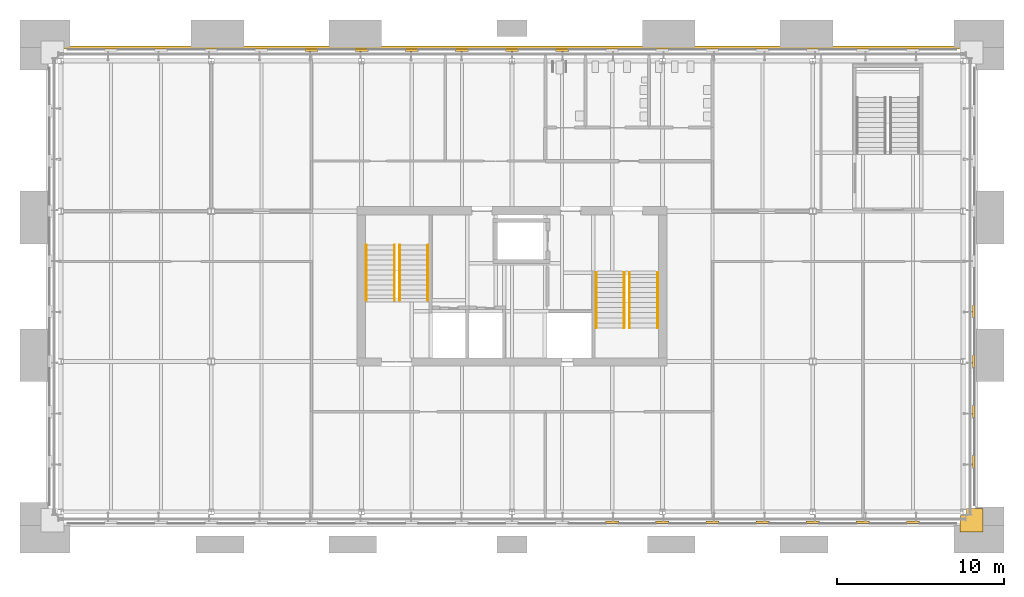
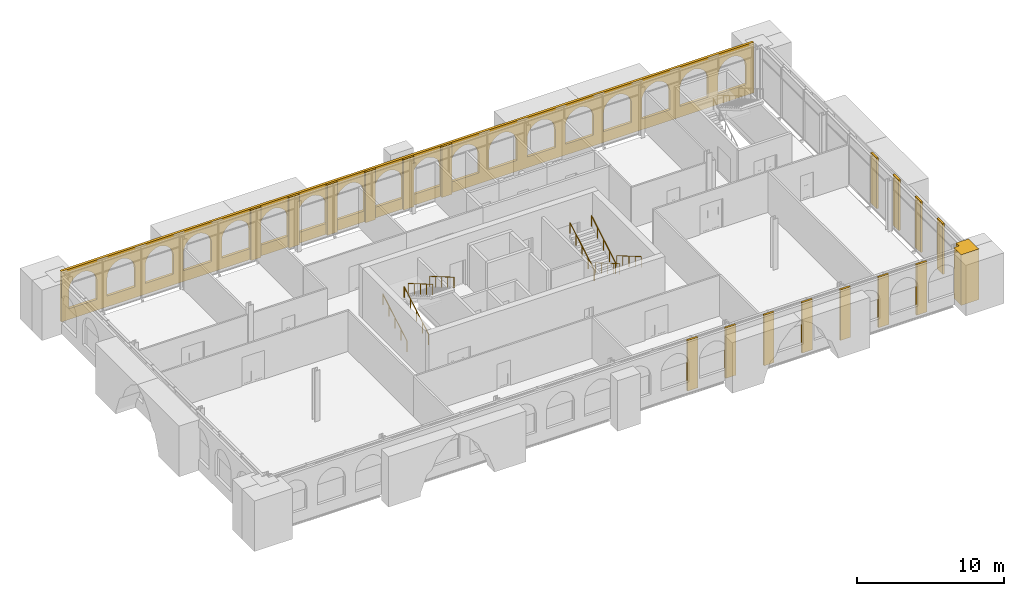
# One storey, part 20 of 22: 18 shading devices, 8 railings, 1 covering.
"""IFC4 building model written with IfcOpenShell, lengths in metres."""

from ifc_helpers import new_model, si_unit, direction, frame, origin, origin_2d, place, context, subcontext, project, spatial, polyline, rectangle, circle, outline, extrude, material, layer, layer_set, type_object, element, save


model = new_model("IFC4")

# Units and contexts
model_context = context("Model", 3, precision=1e-05, world=origin(), true_north=direction((0.0, 1.0)))
body_context = subcontext(model_context, "Body", "Model", "MODEL_VIEW")
ifc_project = project(units=[si_unit("LENGTHUNIT", "METRE"), si_unit("AREAUNIT", "SQUARE_METRE"), si_unit("VOLUMEUNIT", "CUBIC_METRE"), si_unit("PLANEANGLEUNIT", "RADIAN"), si_unit("MASSUNIT", "GRAM", prefix="KILO")], contexts=[model_context])

# Site, building, storey
site_placement = place(None, origin())
site = spatial("IfcSite", under=ifc_project, at=site_placement, CompositionType="ELEMENT")
building_placement = place(site_placement, origin())
building = spatial("IfcBuilding", under=site, at=building_placement, Name="Baradari Gate Terminus", CompositionType="ELEMENT")
storey_placement = place(building_placement, frame((0.0, 0.0, 28.5)))
storey = spatial("IfcBuildingStorey", under=building, at=storey_placement, Name="L06", CompositionType="ELEMENT", Elevation=28.5)

# Railings
ifc_material_1 = material(Name="Stainless steel 1.4301", Category="steel")
railing_type = type_object("IfcRailingType", Name="Handrail HR-1 900", PredefinedType="HANDRAIL", material=ifc_material_1)
for number, where, name in (
    (1, (27.284912109375, 129.675048828125, 0.175048828125), "Handrail ST-T1 L06 flight 1"),
    (2, (28.965087890625, 129.675048828125, 0.175048828125), "Handrail ST-T1 L06 flight 1"),
):
    element("IfcRailing", number, at=place(storey_placement, frame(where)), inside=storey, type_object=railing_type, Name=name, PredefinedType="HANDRAIL", context=body_context, shape_type="SweptSolid", body=[
        extrude(circle(Radius=0.02392578125, at=origin_2d()), frame((0.0, 0.0, 0.8759765625), z_axis=(0.0, 0.863776583165, 0.503874998761), x_axis=(-1.0, 0.0, 0.0)), (0.0, 0.0, 1.0), 3.820556640625),
        extrude(circle(Radius=0.02099609375, at=origin_2d()), origin(), (0.0, 0.0, 1.0), 0.851806640625),
        extrude(circle(Radius=0.02099609375, at=origin_2d()), frame((0.0, 0.824951171875, 0.481201171875)), (0.0, 0.0, 1.0), 0.851806640625),
        extrude(circle(Radius=0.02099609375, at=origin_2d()), frame((0.0, 1.64990234375, 0.96240234375)), (0.0, 0.0, 1.0), 0.851806640625),
        extrude(circle(Radius=0.02099609375, at=origin_2d()), frame((0.0, 2.47509765625, 1.44384765625)), (0.0, 0.0, 1.0), 0.851806640625),
        extrude(circle(Radius=0.02099609375, at=origin_2d()), frame((0.0, 3.300048828125, 1.925048828125)), (0.0, 0.0, 1.0), 0.851806640625),
    ])
for number, where, name in (
    (3, (29.284912109375, 132.97509765625, 2.27490234375), "Handrail ST-T1 L06 flight 2"),
    (4, (30.965087890625, 132.97509765625, 2.27490234375), "Handrail ST-T1 L06 flight 2"),
    (5, (44.715087890625, 131.324951171875, 0.175048828125), "Handrail ST-T2 L06 flight 1"),
    (6, (43.034912109375, 131.324951171875, 0.175048828125), "Handrail ST-T2 L06 flight 1"),
):
    element("IfcRailing", number, at=place(storey_placement, frame(where)), inside=storey, type_object=railing_type, Name=name, PredefinedType="HANDRAIL", context=body_context, shape_type="SweptSolid", body=[
        extrude(circle(Radius=0.02392578125, at=origin_2d()), frame((0.0, 0.0, 0.8759765625), z_axis=(0.0, -0.863776583165, 0.503874998761), x_axis=(1.0, 0.0, 0.0)), (0.0, 0.0, 1.0), 3.820556640625),
        extrude(circle(Radius=0.02099609375, at=origin_2d()), origin(), (0.0, 0.0, 1.0), 0.851806640625),
        extrude(circle(Radius=0.02099609375, at=origin_2d()), frame((0.0, -0.824951171875, 0.481201171875)), (0.0, 0.0, 1.0), 0.851806640625),
        extrude(circle(Radius=0.02099609375, at=origin_2d()), frame((0.0, -1.64990234375, 0.96240234375)), (0.0, 0.0, 1.0), 0.851806640625),
        extrude(circle(Radius=0.02099609375, at=origin_2d()), frame((0.0, -2.47509765625, 1.44384765625)), (0.0, 0.0, 1.0), 0.851806640625),
        extrude(circle(Radius=0.02099609375, at=origin_2d()), frame((0.0, -3.300048828125, 1.925048828125)), (0.0, 0.0, 1.0), 0.851806640625),
    ])
for number, where, name in (
    (7, (42.715087890625, 128.02490234375, 2.27490234375), "Handrail ST-T2 L06 flight 2"),
    (8, (41.034912109375, 128.02490234375, 2.27490234375), "Handrail ST-T2 L06 flight 2"),
):
    element("IfcRailing", number, at=place(storey_placement, frame(where)), inside=storey, type_object=railing_type, Name=name, PredefinedType="HANDRAIL", context=body_context, shape_type="SweptSolid", body=[
        extrude(circle(Radius=0.02392578125, at=origin_2d()), frame((0.0, 0.0, 0.8759765625), z_axis=(0.0, 0.863776583165, 0.503874998761), x_axis=(-1.0, 0.0, 0.0)), (0.0, 0.0, 1.0), 3.820556640625),
        extrude(circle(Radius=0.02099609375, at=origin_2d()), origin(), (0.0, 0.0, 1.0), 0.851806640625),
        extrude(circle(Radius=0.02099609375, at=origin_2d()), frame((0.0, 0.824951171875, 0.481201171875)), (0.0, 0.0, 1.0), 0.851806640625),
        extrude(circle(Radius=0.02099609375, at=origin_2d()), frame((0.0, 1.64990234375, 0.96240234375)), (0.0, 0.0, 1.0), 0.851806640625),
        extrude(circle(Radius=0.02099609375, at=origin_2d()), frame((0.0, 2.47509765625, 1.44384765625)), (0.0, 0.0, 1.0), 0.851806640625),
        extrude(circle(Radius=0.02099609375, at=origin_2d()), frame((0.0, 3.300048828125, 1.925048828125)), (0.0, 0.0, 1.0), 0.851806640625),
    ])

# Covering
ifc_material_2 = material(Name="Light ochre laterite masonry", Category="masonry")
ifc_layer = layer(ifc_material_2, 0.199951171875)
ifc_layer_set = layer_set([ifc_layer], Name="Light ochre laterite masonry")
covering_type = type_object("IfcCoveringType", Name="Laterite arcade cladding LC-2 200", PredefinedType="CLADDING", material=ifc_layer_set)
covering_placement = place(storey_placement, frame((63.199951171875, 144.800048828125, 0.0), z_axis=(0.0, 0.0, 1.0), x_axis=(-1.0, 0.0, 0.0)))
element("IfcCovering", 9, at=covering_placement, inside=storey, type_object=covering_type, Name="Laterite arcade cladding LC-2 L06 N face 1", PredefinedType="CLADDING", context=body_context, shape_type="SweptSolid", body=[
    extrude(outline(polyline([(0.0, 0.0), (54.39990234375, 0.0), (54.39990234375, 4.199951171875), (0.0, 4.199951171875), (0.0, 0.0)]), holes=[polyline([(0.681884765625, 2.836669921875), (0.744384765625, 2.9716796875), (0.822998046875, 3.09814453125), (0.91650390625, 3.2138671875), (1.023681640625, 3.317138671875), (1.142822265625, 3.406494140625), (1.272216796875, 3.48046875), (1.409423828125, 3.537841796875), (1.552734375, 3.577880859375), (1.699951171875, 3.60009765625), (1.84716796875, 3.577880859375), (1.990478515625, 3.537841796875), (2.1279296875, 3.48046875), (2.257080078125, 3.406494140625), (2.376220703125, 3.317138671875), (2.4833984375, 3.2138671875), (2.576904296875, 3.09814453125), (2.655517578125, 2.9716796875), (2.718017578125, 2.836669921875), (2.76318359375, 2.69482421875), (2.790771484375, 2.548583984375), (2.800048828125, 2.39990234375), (2.800048828125, 0.89990234375), (0.60009765625, 0.89990234375), (0.60009765625, 2.39990234375), (0.609130859375, 2.548583984375), (0.63671875, 2.69482421875), (0.681884765625, 2.836669921875)]), polyline([(3.681884765625, 2.836669921875), (3.744384765625, 2.9716796875), (3.822998046875, 3.09814453125), (3.91650390625, 3.2138671875), (4.023681640625, 3.317138671875), (4.142822265625, 3.406494140625), (4.272216796875, 3.48046875), (4.409423828125, 3.537841796875), (4.552734375, 3.577880859375), (4.699951171875, 3.60009765625), (4.84716796875, 3.577880859375), (4.990478515625, 3.537841796875), (5.1279296875, 3.48046875), (5.257080078125, 3.406494140625), (5.376220703125, 3.317138671875), (5.4833984375, 3.2138671875), (5.576904296875, 3.09814453125), (5.655517578125, 2.9716796875), (5.718017578125, 2.836669921875), (5.76318359375, 2.69482421875), (5.790771484375, 2.548583984375), (5.800048828125, 2.39990234375), (5.800048828125, 0.89990234375), (3.60009765625, 0.89990234375), (3.60009765625, 2.39990234375), (3.609130859375, 2.548583984375), (3.63671875, 2.69482421875), (3.681884765625, 2.836669921875)]), polyline([(6.681884765625, 2.836669921875), (6.744384765625, 2.9716796875), (6.822998046875, 3.09814453125), (6.91650390625, 3.2138671875), (7.023681640625, 3.317138671875), (7.142822265625, 3.406494140625), (7.272216796875, 3.48046875), (7.409423828125, 3.537841796875), (7.552734375, 3.577880859375), (7.699951171875, 3.60009765625), (7.84716796875, 3.577880859375), (7.990478515625, 3.537841796875), (8.1279296875, 3.48046875), (8.257080078125, 3.406494140625), (8.376220703125, 3.317138671875), (8.4833984375, 3.2138671875), (8.576904296875, 3.09814453125), (8.655517578125, 2.9716796875), (8.718017578125, 2.836669921875), (8.76318359375, 2.69482421875), (8.790771484375, 2.548583984375), (8.800048828125, 2.39990234375), (8.800048828125, 0.89990234375), (6.60009765625, 0.89990234375), (6.60009765625, 2.39990234375), (6.609130859375, 2.548583984375), (6.63671875, 2.69482421875), (6.681884765625, 2.836669921875)]), polyline([(9.681884765625, 2.836669921875), (9.744384765625, 2.9716796875), (9.822998046875, 3.09814453125), (9.91650390625, 3.2138671875), (10.023681640625, 3.317138671875), (10.142822265625, 3.406494140625), (10.272216796875, 3.48046875), (10.409423828125, 3.537841796875), (10.552734375, 3.577880859375), (10.699951171875, 3.60009765625), (10.84716796875, 3.577880859375), (10.990478515625, 3.537841796875), (11.1279296875, 3.48046875), (11.257080078125, 3.406494140625), (11.376220703125, 3.317138671875), (11.4833984375, 3.2138671875), (11.576904296875, 3.09814453125), (11.655517578125, 2.9716796875), (11.718017578125, 2.836669921875), (11.76318359375, 2.69482421875), (11.790771484375, 2.548583984375), (11.800048828125, 2.39990234375), (11.800048828125, 0.89990234375), (9.60009765625, 0.89990234375), (9.60009765625, 2.39990234375), (9.609130859375, 2.548583984375), (9.63671875, 2.69482421875), (9.681884765625, 2.836669921875)]), polyline([(12.681884765625, 2.836669921875), (12.744384765625, 2.9716796875), (12.822998046875, 3.09814453125), (12.91650390625, 3.2138671875), (13.023681640625, 3.317138671875), (13.142822265625, 3.406494140625), (13.272216796875, 3.48046875), (13.409423828125, 3.537841796875), (13.552734375, 3.577880859375), (13.699951171875, 3.60009765625), (13.84716796875, 3.577880859375), (13.990478515625, 3.537841796875), (14.1279296875, 3.48046875), (14.257080078125, 3.406494140625), (14.376220703125, 3.317138671875), (14.4833984375, 3.2138671875), (14.576904296875, 3.09814453125), (14.655517578125, 2.9716796875), (14.718017578125, 2.836669921875), (14.76318359375, 2.69482421875), (14.790771484375, 2.548583984375), (14.800048828125, 2.39990234375), (14.800048828125, 0.89990234375), (12.60009765625, 0.89990234375), (12.60009765625, 2.39990234375), (12.609130859375, 2.548583984375), (12.63671875, 2.69482421875), (12.681884765625, 2.836669921875)]), polyline([(15.681884765625, 2.836669921875), (15.744384765625, 2.9716796875), (15.822998046875, 3.09814453125), (15.91650390625, 3.2138671875), (16.023681640625, 3.317138671875), (16.142822265625, 3.406494140625), (16.272216796875, 3.48046875), (16.409423828125, 3.537841796875), (16.552734375, 3.577880859375), (16.699951171875, 3.60009765625), (16.84716796875, 3.577880859375), (16.990478515625, 3.537841796875), (17.1279296875, 3.48046875), (17.257080078125, 3.406494140625), (17.376220703125, 3.317138671875), (17.4833984375, 3.2138671875), (17.576904296875, 3.09814453125), (17.655517578125, 2.9716796875), (17.718017578125, 2.836669921875), (17.76318359375, 2.69482421875), (17.790771484375, 2.548583984375), (17.800048828125, 2.39990234375), (17.800048828125, 0.89990234375), (15.60009765625, 0.89990234375), (15.60009765625, 2.39990234375), (15.609130859375, 2.548583984375), (15.63671875, 2.69482421875), (15.681884765625, 2.836669921875)]), polyline([(18.681884765625, 2.836669921875), (18.744384765625, 2.9716796875), (18.822998046875, 3.09814453125), (18.91650390625, 3.2138671875), (19.023681640625, 3.317138671875), (19.142822265625, 3.406494140625), (19.272216796875, 3.48046875), (19.409423828125, 3.537841796875), (19.552734375, 3.577880859375), (19.699951171875, 3.60009765625), (19.84716796875, 3.577880859375), (19.990478515625, 3.537841796875), (20.1279296875, 3.48046875), (20.257080078125, 3.406494140625), (20.376220703125, 3.317138671875), (20.4833984375, 3.2138671875), (20.576904296875, 3.09814453125), (20.655517578125, 2.9716796875), (20.718017578125, 2.836669921875), (20.76318359375, 2.69482421875), (20.790771484375, 2.548583984375), (20.800048828125, 2.39990234375), (20.800048828125, 0.89990234375), (18.60009765625, 0.89990234375), (18.60009765625, 2.39990234375), (18.609130859375, 2.548583984375), (18.63671875, 2.69482421875), (18.681884765625, 2.836669921875)]), polyline([(21.744384765625, 2.9716796875), (21.822998046875, 3.09814453125), (21.91650390625, 3.2138671875), (22.023681640625, 3.317138671875), (22.142822265625, 3.406494140625), (22.272216796875, 3.48046875), (22.409423828125, 3.537841796875), (22.552734375, 3.577880859375), (22.699951171875, 3.60009765625), (22.84716796875, 3.577880859375), (22.990478515625, 3.537841796875), (23.1279296875, 3.48046875), (23.257080078125, 3.406494140625), (23.376220703125, 3.317138671875), (23.4833984375, 3.2138671875), (23.576904296875, 3.09814453125), (23.655517578125, 2.9716796875), (23.718017578125, 2.836669921875), (23.76318359375, 2.69482421875), (23.790771484375, 2.548583984375), (23.800048828125, 2.39990234375), (23.800048828125, 0.89990234375), (21.60009765625, 0.89990234375), (21.60009765625, 2.39990234375), (21.609130859375, 2.548583984375), (21.63671875, 2.69482421875), (21.681884765625, 2.836669921875), (21.744384765625, 2.9716796875)]), polyline([(24.744384765625, 2.9716796875), (24.822998046875, 3.09814453125), (24.91650390625, 3.2138671875), (25.023681640625, 3.317138671875), (25.142822265625, 3.406494140625), (25.272216796875, 3.48046875), (25.409423828125, 3.537841796875), (25.552734375, 3.577880859375), (25.699951171875, 3.60009765625), (25.84716796875, 3.577880859375), (25.990478515625, 3.537841796875), (26.1279296875, 3.48046875), (26.257080078125, 3.406494140625), (26.376220703125, 3.317138671875), (26.4833984375, 3.2138671875), (26.576904296875, 3.09814453125), (26.655517578125, 2.9716796875), (26.718017578125, 2.836669921875), (26.76318359375, 2.69482421875), (26.790771484375, 2.548583984375), (26.800048828125, 2.39990234375), (26.800048828125, 0.89990234375), (24.60009765625, 0.89990234375), (24.60009765625, 2.39990234375), (24.609130859375, 2.548583984375), (24.63671875, 2.69482421875), (24.681884765625, 2.836669921875), (24.744384765625, 2.9716796875)]), polyline([(27.681884765625, 2.836669921875), (27.744384765625, 2.9716796875), (27.822998046875, 3.09814453125), (27.91650390625, 3.2138671875), (28.023681640625, 3.317138671875), (28.142822265625, 3.406494140625), (28.272216796875, 3.48046875), (28.409423828125, 3.537841796875), (28.552734375, 3.577880859375), (28.699951171875, 3.60009765625), (28.84716796875, 3.577880859375), (28.990478515625, 3.537841796875), (29.1279296875, 3.48046875), (29.257080078125, 3.406494140625), (29.376220703125, 3.317138671875), (29.4833984375, 3.2138671875), (29.576904296875, 3.09814453125), (29.655517578125, 2.9716796875), (29.718017578125, 2.836669921875), (29.76318359375, 2.69482421875), (29.790771484375, 2.548583984375), (29.800048828125, 2.39990234375), (29.800048828125, 0.89990234375), (27.60009765625, 0.89990234375), (27.60009765625, 2.39990234375), (27.609130859375, 2.548583984375), (27.63671875, 2.69482421875), (27.681884765625, 2.836669921875)]), polyline([(30.681884765625, 2.836669921875), (30.744384765625, 2.9716796875), (30.822998046875, 3.09814453125), (30.91650390625, 3.2138671875), (31.023681640625, 3.317138671875), (31.142822265625, 3.406494140625), (31.272216796875, 3.48046875), (31.409423828125, 3.537841796875), (31.552734375, 3.577880859375), (31.699951171875, 3.60009765625), (31.84716796875, 3.577880859375), (31.990478515625, 3.537841796875), (32.1279296875, 3.48046875), (32.257080078125, 3.406494140625), (32.376220703125, 3.317138671875), (32.4833984375, 3.2138671875), (32.576904296875, 3.09814453125), (32.655517578125, 2.9716796875), (32.718017578125, 2.836669921875), (32.76318359375, 2.69482421875), (32.790771484375, 2.548583984375), (32.800048828125, 2.39990234375), (32.800048828125, 0.89990234375), (30.60009765625, 0.89990234375), (30.60009765625, 2.39990234375), (30.609130859375, 2.548583984375), (30.63671875, 2.69482421875), (30.681884765625, 2.836669921875)]), polyline([(33.681884765625, 2.836669921875), (33.744384765625, 2.9716796875), (33.822998046875, 3.09814453125), (33.91650390625, 3.2138671875), (34.023681640625, 3.317138671875), (34.142822265625, 3.406494140625), (34.272216796875, 3.48046875), (34.409423828125, 3.537841796875), (34.552734375, 3.577880859375), (34.699951171875, 3.60009765625), (34.84716796875, 3.577880859375), (34.990478515625, 3.537841796875), (35.1279296875, 3.48046875), (35.257080078125, 3.406494140625), (35.376220703125, 3.317138671875), (35.4833984375, 3.2138671875), (35.576904296875, 3.09814453125), (35.655517578125, 2.9716796875), (35.718017578125, 2.836669921875), (35.76318359375, 2.69482421875), (35.790771484375, 2.548583984375), (35.800048828125, 2.39990234375), (35.800048828125, 0.89990234375), (33.60009765625, 0.89990234375), (33.60009765625, 2.39990234375), (33.609130859375, 2.548583984375), (33.63671875, 2.69482421875), (33.681884765625, 2.836669921875)]), polyline([(36.681884765625, 2.836669921875), (36.744384765625, 2.9716796875), (36.822998046875, 3.09814453125), (36.91650390625, 3.2138671875), (37.023681640625, 3.317138671875), (37.142822265625, 3.406494140625), (37.272216796875, 3.48046875), (37.409423828125, 3.537841796875), (37.552734375, 3.577880859375), (37.699951171875, 3.60009765625), (37.84716796875, 3.577880859375), (37.990478515625, 3.537841796875), (38.1279296875, 3.48046875), (38.257080078125, 3.406494140625), (38.376220703125, 3.317138671875), (38.4833984375, 3.2138671875), (38.576904296875, 3.09814453125), (38.655517578125, 2.9716796875), (38.718017578125, 2.836669921875), (38.76318359375, 2.69482421875), (38.790771484375, 2.548583984375), (38.800048828125, 2.39990234375), (38.800048828125, 0.89990234375), (36.60009765625, 0.89990234375), (36.60009765625, 2.39990234375), (36.609130859375, 2.548583984375), (36.63671875, 2.69482421875), (36.681884765625, 2.836669921875)]), polyline([(39.681884765625, 2.836669921875), (39.744384765625, 2.9716796875), (39.822998046875, 3.09814453125), (39.91650390625, 3.2138671875), (40.023681640625, 3.317138671875), (40.142822265625, 3.406494140625), (40.272216796875, 3.48046875), (40.409423828125, 3.537841796875), (40.552734375, 3.577880859375), (40.699951171875, 3.60009765625), (40.84716796875, 3.577880859375), (40.990478515625, 3.537841796875), (41.1279296875, 3.48046875), (41.257080078125, 3.406494140625), (41.376220703125, 3.317138671875), (41.4833984375, 3.2138671875), (41.576904296875, 3.09814453125), (41.655517578125, 2.9716796875), (41.718017578125, 2.836669921875), (41.76318359375, 2.69482421875), (41.790771484375, 2.548583984375), (41.800048828125, 2.39990234375), (41.800048828125, 0.89990234375), (39.60009765625, 0.89990234375), (39.60009765625, 2.39990234375), (39.609130859375, 2.548583984375), (39.63671875, 2.69482421875), (39.681884765625, 2.836669921875)]), polyline([(42.681884765625, 2.836669921875), (42.744384765625, 2.9716796875), (42.822998046875, 3.09814453125), (42.91650390625, 3.2138671875), (43.023681640625, 3.317138671875), (43.142822265625, 3.406494140625), (43.272216796875, 3.48046875), (43.409423828125, 3.537841796875), (43.552734375, 3.577880859375), (43.699951171875, 3.60009765625), (43.84716796875, 3.577880859375), (43.990478515625, 3.537841796875), (44.1279296875, 3.48046875), (44.257080078125, 3.406494140625), (44.376220703125, 3.317138671875), (44.4833984375, 3.2138671875), (44.576904296875, 3.09814453125), (44.655517578125, 2.9716796875), (44.718017578125, 2.836669921875), (44.76318359375, 2.69482421875), (44.790771484375, 2.548583984375), (44.800048828125, 2.39990234375), (44.800048828125, 0.89990234375), (42.60009765625, 0.89990234375), (42.60009765625, 2.39990234375), (42.609130859375, 2.548583984375), (42.63671875, 2.69482421875), (42.681884765625, 2.836669921875)]), polyline([(45.681884765625, 2.836669921875), (45.744384765625, 2.9716796875), (45.822998046875, 3.09814453125), (45.91650390625, 3.2138671875), (46.023681640625, 3.317138671875), (46.142822265625, 3.406494140625), (46.272216796875, 3.48046875), (46.409423828125, 3.537841796875), (46.552734375, 3.577880859375), (46.699951171875, 3.60009765625), (46.84716796875, 3.577880859375), (46.990478515625, 3.537841796875), (47.1279296875, 3.48046875), (47.257080078125, 3.406494140625), (47.376220703125, 3.317138671875), (47.4833984375, 3.2138671875), (47.576904296875, 3.09814453125), (47.655517578125, 2.9716796875), (47.718017578125, 2.836669921875), (47.76318359375, 2.69482421875), (47.790771484375, 2.548583984375), (47.800048828125, 2.39990234375), (47.800048828125, 0.89990234375), (45.60009765625, 0.89990234375), (45.60009765625, 2.39990234375), (45.609130859375, 2.548583984375), (45.63671875, 2.69482421875), (45.681884765625, 2.836669921875)]), polyline([(48.744384765625, 2.9716796875), (48.822998046875, 3.09814453125), (48.91650390625, 3.2138671875), (49.023681640625, 3.317138671875), (49.142822265625, 3.406494140625), (49.272216796875, 3.48046875), (49.409423828125, 3.537841796875), (49.552734375, 3.577880859375), (49.699951171875, 3.60009765625), (49.84716796875, 3.577880859375), (49.990478515625, 3.537841796875), (50.1279296875, 3.48046875), (50.257080078125, 3.406494140625), (50.376220703125, 3.317138671875), (50.4833984375, 3.2138671875), (50.576904296875, 3.09814453125), (50.655517578125, 2.9716796875), (50.718017578125, 2.836669921875), (50.76318359375, 2.69482421875), (50.790771484375, 2.548583984375), (50.800048828125, 2.39990234375), (50.800048828125, 0.89990234375), (48.60009765625, 0.89990234375), (48.60009765625, 2.39990234375), (48.609130859375, 2.548583984375), (48.63671875, 2.69482421875), (48.681884765625, 2.836669921875), (48.744384765625, 2.9716796875)]), polyline([(51.744384765625, 2.9716796875), (51.822998046875, 3.09814453125), (51.91650390625, 3.2138671875), (52.023681640625, 3.317138671875), (52.142822265625, 3.406494140625), (52.272216796875, 3.48046875), (52.409423828125, 3.537841796875), (52.552734375, 3.577880859375), (52.699951171875, 3.60009765625), (52.84716796875, 3.577880859375), (52.990478515625, 3.537841796875), (53.1279296875, 3.48046875), (53.257080078125, 3.406494140625), (53.376220703125, 3.317138671875), (53.4833984375, 3.2138671875), (53.576904296875, 3.09814453125), (53.655517578125, 2.9716796875), (53.718017578125, 2.836669921875), (53.76318359375, 2.69482421875), (53.790771484375, 2.548583984375), (53.800048828125, 2.39990234375), (53.800048828125, 0.89990234375), (51.60009765625, 0.89990234375), (51.60009765625, 2.39990234375), (51.609130859375, 2.548583984375), (51.63671875, 2.69482421875), (51.681884765625, 2.836669921875), (51.744384765625, 2.9716796875)])]), frame((0.0, 0.10009765625, 0.0), z_axis=(0.0, -1.0, 0.0), x_axis=(1.0, 0.0, 0.0)), (0.0, 0.0, 1.0), 0.199951171875),
])

# Shading devices
ifc_material_3 = material(Name="Light ochre laterite masonry", Category="masonry")
shading_device_type_1 = type_object("IfcShadingDeviceType", Name="Laterite arcade pier TP-4 800x195", PredefinedType="SHUTTER", material=ifc_material_3)
for number, where, z_axis, x_axis, name in (
    (10, (42.0, 116.37744140625, 0.0), (0.0, 0.0, 1.0), (1.0, 0.0, 0.0), "Arcade pier TP-4 L06 S face"),
    (11, (45.0, 116.37744140625, 0.0), (0.0, 0.0, 1.0), (1.0, 0.0, 0.0), "Arcade pier TP-4 L06 S face"),
    (12, (48.0, 116.37744140625, 0.0), (0.0, 0.0, 1.0), (1.0, 0.0, 0.0), "Arcade pier TP-4 L06 S face"),
    (13, (51.0, 116.37744140625, 0.0), (0.0, 0.0, 1.0), (1.0, 0.0, 0.0), "Arcade pier TP-4 L06 S face"),
    (14, (54.0, 116.37744140625, 0.0), (0.0, 0.0, 1.0), (1.0, 0.0, 0.0), "Arcade pier TP-4 L06 S face"),
    (15, (57.0, 116.37744140625, 0.0), (0.0, 0.0, 1.0), (1.0, 0.0, 0.0), "Arcade pier TP-4 L06 S face"),
    (16, (60.0, 116.37744140625, 0.0), (0.0, 0.0, 1.0), (1.0, 0.0, 0.0), "Arcade pier TP-4 L06 S face"),
    (17, (63.62255859375, 120.0, 0.0), (0.0, 0.0, 1.0), (0.0, 1.0, 0.0), "Arcade pier TP-4 L06 E face"),
    (18, (63.62255859375, 123.0, 0.0), (0.0, 0.0, 1.0), (0.0, 1.0, 0.0), "Arcade pier TP-4 L06 E face"),
    (19, (63.62255859375, 126.0, 0.0), (0.0, 0.0, 1.0), (0.0, 1.0, 0.0), "Arcade pier TP-4 L06 E face"),
    (20, (63.62255859375, 129.0, 0.0), (0.0, 0.0, 1.0), (0.0, 1.0, 0.0), "Arcade pier TP-4 L06 E face"),
    (21, (39.0, 144.62255859375, 0.0), (0.0, 0.0, 1.0), (-1.0, 0.0, 0.0), "Arcade pier TP-4 L06 N face"),
    (22, (36.0, 144.62255859375, 0.0), (0.0, 0.0, 1.0), (-1.0, 0.0, 0.0), "Arcade pier TP-4 L06 N face"),
    (23, (33.0, 144.62255859375, 0.0), (0.0, 0.0, 1.0), (-1.0, 0.0, 0.0), "Arcade pier TP-4 L06 N face"),
    (24, (30.0, 144.62255859375, 0.0), (0.0, 0.0, 1.0), (-1.0, 0.0, 0.0), "Arcade pier TP-4 L06 N face"),
    (25, (27.0, 144.62255859375, 0.0), (0.0, 0.0, 1.0), (-1.0, 0.0, 0.0), "Arcade pier TP-4 L06 N face"),
    (26, (24.0, 144.62255859375, 0.0), (0.0, 0.0, 1.0), (-1.0, 0.0, 0.0), "Arcade pier TP-4 L06 N face"),
):
    element("IfcShadingDevice", number, at=place(storey_placement, frame(where, z_axis=z_axis, x_axis=x_axis)), inside=storey, type_object=shading_device_type_1, Name=name, PredefinedType="SHUTTER", context=body_context, shape_type="SweptSolid", body=[
        extrude(rectangle(XDim=0.800048828125, YDim=0.155029296875, at=origin_2d()), origin(), (0.0, 0.0, 1.0), 4.199951171875),
    ])
ifc_material_4 = material(Name="Light ochre laterite masonry", Category="masonry")
shading_device_type_2 = type_object("IfcShadingDeviceType", Name="Laterite corner pier QP-1 1000x1000", PredefinedType="SHUTTER", material=ifc_material_4)
shading_device_placement = place(storey_placement, origin())
element("IfcShadingDevice", 27, at=shading_device_placement, inside=storey, type_object=shading_device_type_2, Name="Corner pier QP-1 L06 at grid 63/117", PredefinedType="SHUTTER", context=body_context, shape_type="SweptSolid", body=[
    extrude(outline(polyline([(62.800048828125, 115.800048828125), (62.800048828125, 116.800048828125), (63.199951171875, 116.800048828125), (63.199951171875, 117.199951171875), (64.199951171875, 117.199951171875), (64.199951171875, 115.800048828125), (62.800048828125, 115.800048828125)])), origin(), (0.0, 0.0, 1.0), 4.199951171875),
])

save(model, "model.ifc")
